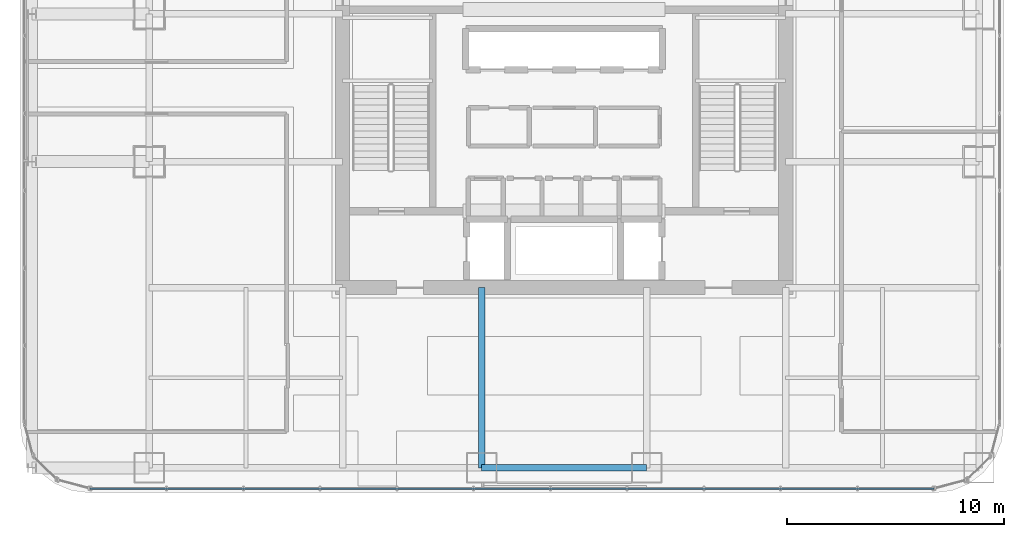
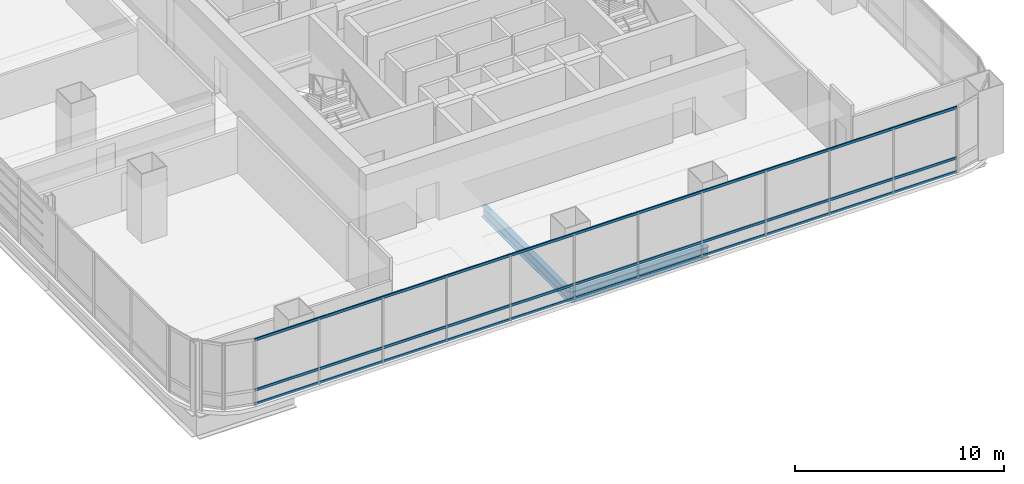
# One storey, part 8 of 38: 3 members, 2 beams, 1 element without a shape of its own.
"""IFC4 building model written with IfcOpenShell, lengths in metres."""

from ifc_helpers import new_model, si_unit, direction, frame, origin, origin_2d, place, context, subcontext, project, spatial, hollow_rectangle, i_section, extrude, material, material_profile, profile_set, type_object, element, aggregate, save


model = new_model("IFC4")

# Units and contexts
model_context = context("Model", 3, precision=1e-05, world=origin(), true_north=direction((0.0, 1.0)))
body_context = subcontext(model_context, "Body", "Model", "MODEL_VIEW")
ifc_project = project(units=[si_unit("LENGTHUNIT", "METRE"), si_unit("AREAUNIT", "SQUARE_METRE"), si_unit("VOLUMEUNIT", "CUBIC_METRE"), si_unit("PLANEANGLEUNIT", "RADIAN"), si_unit("MASSUNIT", "GRAM", prefix="KILO")], contexts=[model_context])

# Site, building, storey
site_placement = place(None, origin())
site = spatial("IfcSite", under=ifc_project, at=site_placement, CompositionType="ELEMENT")
building_placement = place(site_placement, origin())
building = spatial("IfcBuilding", under=site, at=building_placement, Name="Punatoya Terracotta Tower", CompositionType="ELEMENT")
storey_placement = place(building_placement, frame((0.0, 0.0, 151.949951171875)))
storey = spatial("IfcBuildingStorey", under=building, at=storey_placement, Name="L35", CompositionType="ELEMENT", Elevation=151.949951171875)

# Beams
ifc_material_1 = material(Name="Steel S355", Category="steel")
ifc_material_profile_1 = material_profile(ifc_material_1, i_section(OverallWidth=0.300048828125, OverallDepth=0.64990234375, WebThickness=0.01611328125, FlangeThickness=0.031005859375, FilletRadius=0.01806640625, at=origin_2d()))
ifc_profile_set_1 = profile_set([ifc_material_profile_1], Name="Steel S355")
beam_type = type_object("IfcBeamType", Name="BM-PRI-650", PredefinedType="BEAM", material=ifc_profile_set_1)
beam_1_placement = place(storey_placement, frame((-3.800048828125, -17.5, -0.544921875), z_axis=(1.0, 0.0, 0.0), x_axis=(0.0, 1.0, 0.0)))
element("IfcBeam", 1, at=beam_1_placement, inside=storey, type_object=beam_type, Name="BM-L35-RG-S2", PredefinedType="BEAM", context=body_context, shape_type="SweptSolid", body=[
    extrude(i_section(OverallWidth=0.300048828125, OverallDepth=0.64990234375, WebThickness=0.01611328125, FlangeThickness=0.031005859375, FilletRadius=0.01806640625, at=origin_2d()), origin(), (0.0, 0.0, 1.0), 7.60009765625),
])
beam_2_placement = place(storey_placement, frame((-3.800048828125, -17.5, -0.544921875), z_axis=(0.0, 1.0, 0.0), x_axis=(-1.0, 0.0, 0.0)))
element("IfcBeam", 2, at=beam_2_placement, inside=storey, type_object=beam_type, Name="BM-L35-PR-S2", PredefinedType="BEAM", context=body_context, shape_type="SweptSolid", body=[
    extrude(i_section(OverallWidth=0.300048828125, OverallDepth=0.64990234375, WebThickness=0.01611328125, FlangeThickness=0.031005859375, FilletRadius=0.01806640625, at=origin_2d()), origin(), (0.0, 0.0, 1.0), 8.300048828125),
])

# Curtain wall, members
ifc_material_2 = material(Name="Aluminium 6063-T6 + Double Low-E Glass", Category="aluminium")
curtain_wall_type = type_object("IfcCurtainWallType", Name="CW-M2", PredefinedType="NOTDEFINED", material=ifc_material_2)
curtain_wall_placement = place(storey_placement, origin())
curtain_wall = element("IfcCurtainWall", 3, at=curtain_wall_placement, inside=storey, type_object=curtain_wall_type, Name="L35 Curtain Wall CW-L35-S01-1", PredefinedType="NOTDEFINED")
ifc_material_3 = material(Name="Aluminium 6063-T6", Category="aluminium")
ifc_material_profile_2 = material_profile(ifc_material_3, hollow_rectangle(XDim=0.068115234375, YDim=0.14990234375, WallThickness=0.00390625, at=origin_2d()))
ifc_profile_set_2 = profile_set([ifc_material_profile_2], Name="Aluminium 6063-T6")
member_type = type_object("IfcMemberType", Name="CW-TRN-TYP", PredefinedType="USERDEFINED", material=ifc_profile_set_2)
member_1_placement = place(storey_placement, frame((-21.8369140625, -18.449951171875, 0.0400390625), z_axis=(1.0, 0.0, 0.0), x_axis=(0.0, 1.0, 0.0)))
member_1 = element("IfcMember", 4, at=member_1_placement, type_object=member_type, Name="CW-L35-S01-1 Transom 1", ObjectType="TRANSOM", PredefinedType="USERDEFINED", context=body_context, shape_type="SweptSolid", body=[
    extrude(hollow_rectangle(XDim=0.068115234375, YDim=0.14990234375, WallThickness=0.00390625, at=origin_2d()), origin(), (0.0, 0.0, 1.0), 38.873779296875),
])
member_2_placement = place(storey_placement, frame((-21.8369140625, -18.449951171875, 0.85009765625), z_axis=(1.0, 0.0, 0.0), x_axis=(0.0, 1.0, 0.0)))
member_2 = element("IfcMember", 5, at=member_2_placement, type_object=member_type, Name="CW-L35-S01-1 Transom 2", ObjectType="TRANSOM", PredefinedType="USERDEFINED", context=body_context, shape_type="SweptSolid", body=[
    extrude(hollow_rectangle(XDim=0.068115234375, YDim=0.14990234375, WallThickness=0.00390625, at=origin_2d()), origin(), (0.0, 0.0, 1.0), 38.873779296875),
])
member_3_placement = place(storey_placement, frame((-21.8369140625, -18.449951171875, 3.7900390625), z_axis=(1.0, 0.0, 0.0), x_axis=(0.0, 1.0, 0.0)))
member_3 = element("IfcMember", 6, at=member_3_placement, type_object=member_type, Name="CW-L35-S01-1 Transom 3", ObjectType="TRANSOM", PredefinedType="USERDEFINED", context=body_context, shape_type="SweptSolid", body=[
    extrude(hollow_rectangle(XDim=0.068115234375, YDim=0.14990234375, WallThickness=0.00390625, at=origin_2d()), origin(), (0.0, 0.0, 1.0), 38.873779296875),
])
aggregate(curtain_wall, [member_1, member_2, member_3])

save(model, "model.ifc")
